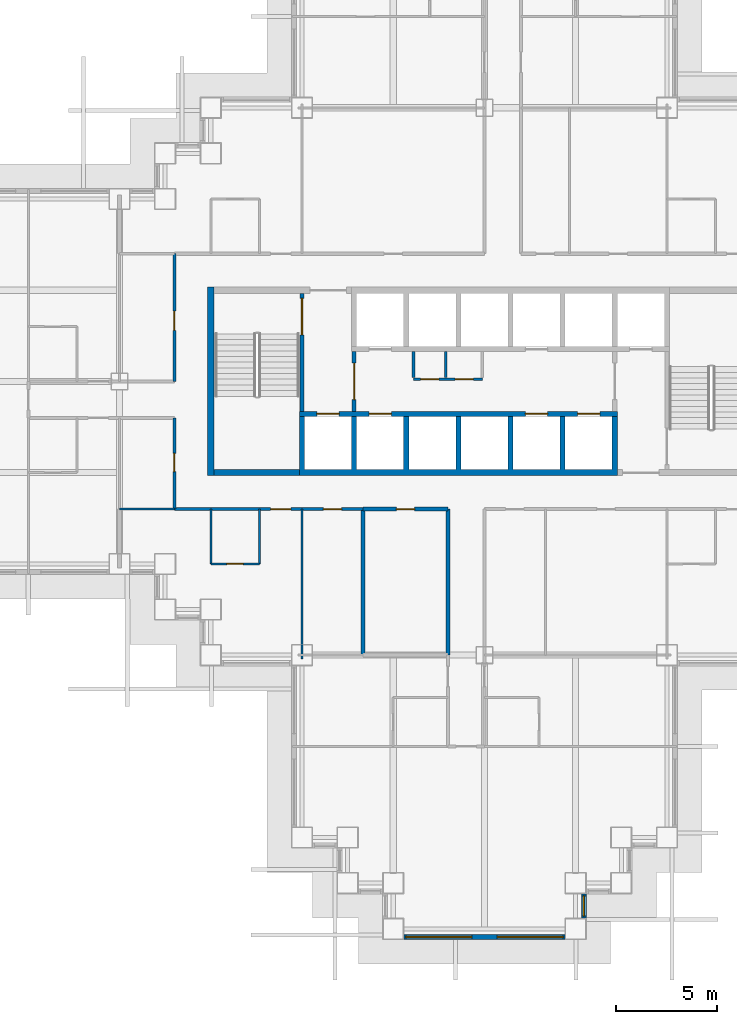
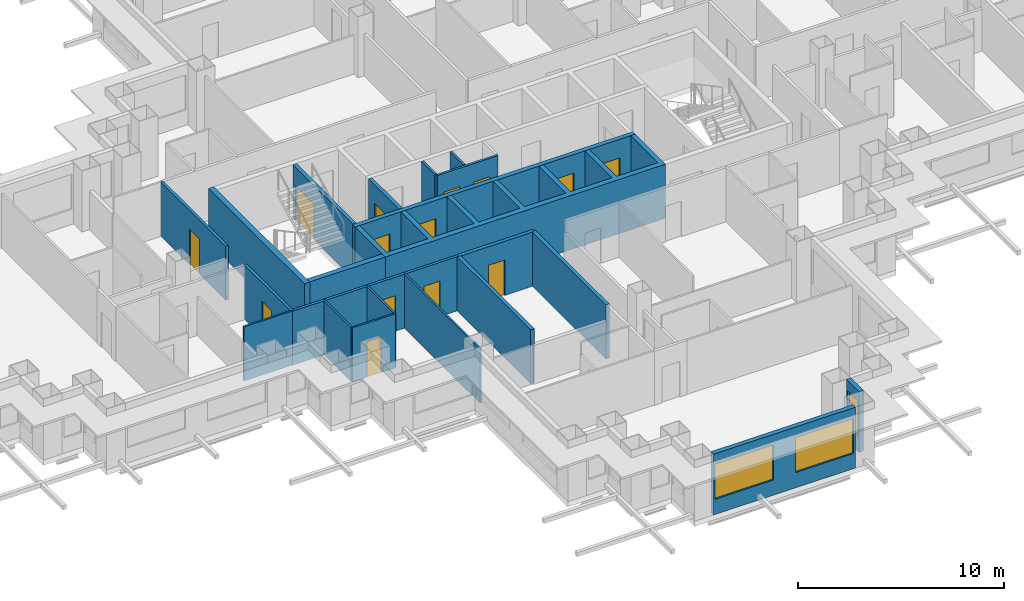
# One storey, part 4 of 15: 22 walls, 14 doors, 3 windows, 17 openings.
"""IFC4 building model written with IfcOpenShell, lengths in metres."""

from ifc_helpers import new_model, si_unit, direction, frame, frame_2d, origin, place, context, subcontext, project, spatial, polyline, rectangle, outline, extrude, material, layer, layer_set, type_object, element, fill, save


model = new_model("IFC4")

# Units and contexts
model_context = context("Model", 3, precision=1e-05, world=origin(), true_north=direction((0.0, 1.0)))
body_context = subcontext(model_context, "Body", "Model", "MODEL_VIEW")
ifc_project = project(units=[si_unit("LENGTHUNIT", "METRE"), si_unit("AREAUNIT", "SQUARE_METRE"), si_unit("VOLUMEUNIT", "CUBIC_METRE"), si_unit("PLANEANGLEUNIT", "RADIAN"), si_unit("MASSUNIT", "GRAM", prefix="KILO")], contexts=[model_context])

# Site, building, storey
site_placement = place(None, origin())
site = spatial("IfcSite", under=ifc_project, at=site_placement, CompositionType="ELEMENT")
building_placement = place(site_placement, origin())
building = spatial("IfcBuilding", under=site, at=building_placement, Name="Caravel Reach Hotel and Residences", CompositionType="ELEMENT")
storey_placement = place(building_placement, frame((0.0, 0.0, 44.39990234375)))
storey = spatial("IfcBuildingStorey", under=building, at=storey_placement, Name="L09", CompositionType="ELEMENT", Elevation=44.39990234375)

# Wall, opening, door
ifc_material_1 = material(Name="Gypsum board on steel stud", Category="steel")
ifc_layer_1 = layer(ifc_material_1, 0.10009765625)
ifc_layer_set_1 = layer_set([ifc_layer_1], Name="Bathroom pod wall 100 mm")
wall_type_1 = type_object("IfcWallType", Name="Bathroom pod wall 100 mm", PredefinedType="PARTITIONING", material=ifc_layer_set_1)
wall_1_placement = place(storey_placement, frame((18.0, 18.0, 0.0), z_axis=(0.0, 0.0, 1.0), x_axis=(1.0, 0.0, 0.0)))
wall_1 = element("IfcWall", 1, at=wall_1_placement, inside=storey, type_object=wall_type_1, Name="L09 wall w076", PredefinedType="PARTITIONING", context=body_context, shape_type="SweptSolid", body=[
    extrude(rectangle(XDim=2.39990234375, YDim=0.10009765625, at=frame_2d((1.199951171875, 0.0))), origin(), (0.0, 0.0, 1.0), 3.2001953125),
])
opening_1_placement = place(wall_1_placement, frame((0.800048828125, 0.0, 0.0)))
opening_1 = element("IfcOpeningElement", 2, at=opening_1_placement, cuts=wall_1, Name="Opening D09-047", PredefinedType="OPENING", context=body_context, shape_type="SweptSolid", body=[
    extrude(rectangle(XDim=0.800048828125, YDim=2.10009765625, at=frame_2d((0.39990234375, 1.050048828125))), frame((0.0, 0.06005859375, 0.0), z_axis=(0.0, -1.0, 0.0), x_axis=(1.0, 0.0, 0.0)), (0.0, 0.0, 1.0), 0.1201171875),
])
ifc_material_2 = material(Name="Timber and steel door leaf", Category="steel")
door_type_1 = type_object("IfcDoorType", Name="Bathroom door 800 x 2100", OperationType="SINGLE_SWING_LEFT", PredefinedType="DOOR", material=ifc_material_2)
door_1_placement = place(opening_1_placement, origin())
door_1 = element("IfcDoor", 3, at=door_1_placement, inside=storey, type_object=door_type_1, Name="door D09-047", OperationType="SINGLE_SWING_LEFT", OverallHeight=2.10009765625, OverallWidth=0.800048828125, PredefinedType="DOOR", context=body_context, shape_type="SweptSolid", body=[
    extrude(rectangle(XDim=0.800048828125, YDim=2.10009765625, at=frame_2d((0.39990234375, 1.050048828125))), frame((0.0, 0.02490234375, 0.0), z_axis=(0.0, -1.0, 0.0), x_axis=(1.0, 0.0, 0.0)), (0.0, 0.0, 1.0), 0.050048828125),
])
fill(opening_1, door_1)

# Walls
for number, where, z_axis, x_axis, name in (
    (4, (18.0, 18.0, 0.0), (0.0, 0.0, 1.0), (0.0, 1.0, 0.0), "L09 wall w092"),
    (5, (20.39990234375, 18.0, 0.0), (0.0, 0.0, 1.0), (0.0, 1.0, 0.0), "L09 wall w094"),
):
    element("IfcWall", number, at=place(storey_placement, frame(where, z_axis=z_axis, x_axis=x_axis)), inside=storey, type_object=wall_type_1, Name=name, PredefinedType="PARTITIONING", context=body_context, shape_type="SweptSolid", body=[
        extrude(rectangle(XDim=2.699951171875, YDim=0.10009765625, at=frame_2d((1.35009765625, 0.0))), origin(), (0.0, 0.0, 1.0), 3.2001953125),
    ])

# Wall, opening, door
ifc_material_3 = material(Name="Autoclaved aerated block wall")
ifc_layer_2 = layer(ifc_material_3, 0.199951171875)
ifc_layer_set_2 = layer_set([ifc_layer_2], Name="Compartment wall 200 mm EI 120")
wall_type_2 = type_object("IfcWallType", Name="Compartment wall 200 mm EI 120", PredefinedType="PARTITIONING", material=ifc_layer_set_2)
wall_2_placement = place(storey_placement, frame((25.5, 20.699951171875, 0.0), z_axis=(0.0, 0.0, 1.0), x_axis=(1.0, 0.0, 0.0)))
wall_2 = element("IfcWall", 6, at=wall_2_placement, inside=storey, type_object=wall_type_2, Name="L09 wall w106", PredefinedType="PARTITIONING", context=body_context, shape_type="SweptSolid", body=[
    extrude(rectangle(XDim=4.199951171875, YDim=0.199951171875, at=frame_2d((2.10009765625, 0.0))), origin(), (0.0, 0.0, 1.0), 3.2001953125),
])
opening_2_placement = place(wall_2_placement, frame((1.64990234375, 0.0, 0.0)))
opening_2 = element("IfcOpeningElement", 7, at=opening_2_placement, cuts=wall_2, Name="Opening D09-054", PredefinedType="OPENING", context=body_context, shape_type="SweptSolid", body=[
    extrude(rectangle(XDim=0.89990234375, YDim=2.10009765625, at=frame_2d((0.449951171875, 1.050048828125))), frame((0.0, 0.10986328125, 0.0), z_axis=(0.0, -1.0, 0.0), x_axis=(1.0, 0.0, 0.0)), (0.0, 0.0, 1.0), 0.219970703125),
])
ifc_material_4 = material(Name="Steel fire door leaf", Category="steel")
door_type_2 = type_object("IfcDoorType", Name="Riser door 900 x 2100 EI 60", OperationType="SINGLE_SWING_LEFT", PredefinedType="DOOR", material=ifc_material_4)
door_2_placement = place(opening_2_placement, origin())
door_2 = element("IfcDoor", 8, at=door_2_placement, inside=storey, type_object=door_type_2, Name="door D09-054", OperationType="SINGLE_SWING_LEFT", OverallHeight=2.10009765625, OverallWidth=0.89990234375, PredefinedType="DOOR", context=body_context, shape_type="SweptSolid", body=[
    extrude(rectangle(XDim=0.89990234375, YDim=2.10009765625, at=frame_2d((0.449951171875, 1.050048828125))), frame((0.0, 0.02490234375, 0.0), z_axis=(0.0, -1.0, 0.0), x_axis=(1.0, 0.0, 0.0)), (0.0, 0.0, 1.0), 0.050048828125),
])
fill(opening_2, door_2)

# Walls
for number, where, z_axis, x_axis, name in (
    (9, (25.5, 13.5, 0.0), (0.0, 0.0, 1.0), (0.0, 1.0, 0.0), "L09 wall w107"),
    (10, (29.699951171875, 13.5, 0.0), (0.0, 0.0, 1.0), (0.0, 1.0, 0.0), "L09 wall w108"),
):
    element("IfcWall", number, at=place(storey_placement, frame(where, z_axis=z_axis, x_axis=x_axis)), inside=storey, type_object=wall_type_2, Name=name, PredefinedType="PARTITIONING", context=body_context, shape_type="SweptSolid", body=[
        extrude(rectangle(XDim=7.199951171875, YDim=0.199951171875, at=frame_2d((3.60009765625, 0.0))), origin(), (0.0, 0.0, 1.0), 3.2001953125),
    ])
ifc_material_5 = material(Name="Concrete C60", Category="concrete")
ifc_layer_3 = layer(ifc_material_5, 0.300048828125)
ifc_layer_set_3 = layer_set([ifc_layer_3], Name="Core wall 300 mm EI 120")
wall_type_3 = type_object("IfcWallType", Name="Core wall 300 mm EI 120", PredefinedType="SHEAR", material=ifc_layer_set_3)
wall_3_placement = place(storey_placement, frame((18.14990234375, 22.5, 0.0), z_axis=(0.0, 0.0, 1.0), x_axis=(1.0, 0.0, 0.0)))
element("IfcWall", 11, at=wall_3_placement, inside=storey, type_object=wall_type_3, Name="L09 core wall S1", PredefinedType="SHEAR", context=body_context, shape_type="SweptSolid", body=[
    extrude(rectangle(XDim=4.22509765625, YDim=0.300048828125, at=frame_2d((2.112548828125, 0.0))), origin(), (0.0, 0.0, 1.0), 3.2001953125),
])
wall_4_placement = place(storey_placement, frame((18.0, 22.35009765625, 0.0), z_axis=(0.0, 0.0, 1.0), x_axis=(0.0, 1.0, 0.0)))
element("IfcWall", 12, at=wall_4_placement, inside=storey, type_object=wall_type_3, Name="L09 core wall W", PredefinedType="SHEAR", context=body_context, shape_type="SweptSolid", body=[
    extrude(rectangle(XDim=9.2998046875, YDim=0.300048828125, at=frame_2d((4.64990234375, 0.0))), origin(), (0.0, 0.0, 1.0), 3.2001953125),
])

# Wall, openings, doors
ifc_material_6 = material(Name="Gypsum board on steel stud, fire-rated", Category="steel")
ifc_layer_4 = layer(ifc_material_6, 0.14990234375)
ifc_layer_set_4 = layer_set([ifc_layer_4], Name="Corridor wall 150 mm EI 60")
wall_type_4 = type_object("IfcWallType", Name="Corridor wall 150 mm EI 60", PredefinedType="PARTITIONING", material=ifc_layer_set_4)
wall_5_placement = place(storey_placement, frame((16.199951171875, 20.699951171875, 0.0), z_axis=(0.0, 0.0, 1.0), x_axis=(1.0, 0.0, 0.0)))
wall_5 = element("IfcWall", 13, at=wall_5_placement, inside=storey, type_object=wall_type_4, Name="L09 wall w001", PredefinedType="PARTITIONING", context=body_context, shape_type="SweptSolid", body=[
    extrude(rectangle(XDim=9.300048828125, YDim=0.14990234375, at=frame_2d((4.64990234375, 0.0))), origin(), (0.0, 0.0, 1.0), 3.2001953125),
])
opening_3_placement = place(wall_5_placement, frame((4.75, 0.0, 0.0)))
opening_3 = element("IfcOpeningElement", 14, at=opening_3_placement, cuts=wall_5, Name="Opening D09-046", PredefinedType="OPENING", context=body_context, shape_type="SweptSolid", body=[
    extrude(rectangle(XDim=1.0, YDim=2.10009765625, at=frame_2d((0.5, 1.050048828125))), frame((0.0, 0.0849609375, 0.0), z_axis=(0.0, -1.0, 0.0), x_axis=(1.0, 0.0, 0.0)), (0.0, 0.0, 1.0), 0.169921875),
])
opening_4_placement = place(wall_5_placement, frame((7.35009765625, 0.0, 0.0)))
opening_4 = element("IfcOpeningElement", 15, at=opening_4_placement, cuts=wall_5, Name="Opening D09-053", PredefinedType="OPENING", context=body_context, shape_type="SweptSolid", body=[
    extrude(rectangle(XDim=0.89990234375, YDim=2.10009765625, at=frame_2d((0.449951171875, 1.050048828125))), frame((0.0, 0.0849609375, 0.0), z_axis=(0.0, -1.0, 0.0), x_axis=(1.0, 0.0, 0.0)), (0.0, 0.0, 1.0), 0.169921875),
])
ifc_material_7 = material(Name="Timber and steel door leaf", Category="steel")
door_type_3 = type_object("IfcDoorType", Name="Door 900 x 2100 timber", OperationType="SINGLE_SWING_LEFT", PredefinedType="DOOR", material=ifc_material_7)
door_3_placement = place(opening_4_placement, origin())
door_3 = element("IfcDoor", 16, at=door_3_placement, inside=storey, type_object=door_type_3, Name="door D09-053", OperationType="SINGLE_SWING_RIGHT", OverallHeight=2.10009765625, OverallWidth=0.89990234375, PredefinedType="DOOR", context=body_context, shape_type="SweptSolid", body=[
    extrude(rectangle(XDim=0.89990234375, YDim=2.10009765625, at=frame_2d((0.449951171875, 1.050048828125))), frame((0.0, 0.02490234375, 0.0), z_axis=(0.0, -1.0, 0.0), x_axis=(1.0, 0.0, 0.0)), (0.0, 0.0, 1.0), 0.050048828125),
])
fill(opening_4, door_3)
ifc_material_8 = material(Name="Steel fire door leaf", Category="steel")
door_type_4 = type_object("IfcDoorType", Name="Guest room door 1000 x 2100 EI 30", OperationType="SINGLE_SWING_LEFT", PredefinedType="DOOR", material=ifc_material_8)
door_4_placement = place(opening_3_placement, origin())
door_4 = element("IfcDoor", 17, at=door_4_placement, inside=storey, type_object=door_type_4, Name="door D09-046", OperationType="SINGLE_SWING_RIGHT", OverallHeight=2.10009765625, OverallWidth=1.0, PredefinedType="DOOR", context=body_context, shape_type="SweptSolid", body=[
    extrude(rectangle(XDim=1.0, YDim=2.10009765625, at=frame_2d((0.5, 1.050048828125))), frame((0.0, 0.02490234375, 0.0), z_axis=(0.0, -1.0, 0.0), x_axis=(1.0, 0.0, 0.0)), (0.0, 0.0, 1.0), 0.050048828125),
])
fill(opening_3, door_4)

# Wall, opening, door
wall_6_placement = place(storey_placement, frame((16.199951171875, 27.0, 0.0), z_axis=(0.0, 0.0, 1.0), x_axis=(0.0, 1.0, 0.0)))
wall_6 = element("IfcWall", 18, at=wall_6_placement, inside=storey, type_object=wall_type_4, Name="L09 wall w023", PredefinedType="PARTITIONING", context=body_context, shape_type="SweptSolid", body=[
    extrude(rectangle(XDim=6.300048828125, YDim=0.14990234375, at=frame_2d((3.14990234375, 0.0))), origin(), (0.0, 0.0, 1.0), 3.2001953125),
])
opening_5_placement = place(wall_6_placement, frame((2.52490234375, 0.0, 0.0)))
opening_5 = element("IfcOpeningElement", 19, at=opening_5_placement, cuts=wall_6, Name="Opening D09-058", PredefinedType="OPENING", context=body_context, shape_type="SweptSolid", body=[
    extrude(rectangle(XDim=0.949951171875, YDim=2.10009765625, at=frame_2d((0.47509765625, 1.050048828125))), frame((0.0, 0.0849609375, 0.0), z_axis=(0.0, -1.0, 0.0), x_axis=(1.0, 0.0, 0.0)), (0.0, 0.0, 1.0), 0.169921875),
])
ifc_material_9 = material(Name="Timber and steel door leaf", Category="steel")
door_type_5 = type_object("IfcDoorType", Name="Accessible WC door 950 x 2100", OperationType="SINGLE_SWING_LEFT", PredefinedType="DOOR", material=ifc_material_9)
door_5_placement = place(opening_5_placement, origin())
door_5 = element("IfcDoor", 20, at=door_5_placement, inside=storey, type_object=door_type_5, Name="door D09-058", OperationType="SINGLE_SWING_LEFT", OverallHeight=2.10009765625, OverallWidth=0.949951171875, PredefinedType="DOOR", context=body_context, shape_type="SweptSolid", body=[
    extrude(rectangle(XDim=0.949951171875, YDim=2.10009765625, at=frame_2d((0.47509765625, 1.050048828125))), frame((0.0, 0.02490234375, 0.0), z_axis=(0.0, -1.0, 0.0), x_axis=(1.0, 0.0, 0.0)), (0.0, 0.0, 1.0), 0.050048828125),
])
fill(opening_5, door_5)

wall_7_placement = place(storey_placement, frame((16.199951171875, 20.699951171875, 0.0), z_axis=(0.0, 0.0, 1.0), x_axis=(0.0, 1.0, 0.0)))
wall_7 = element("IfcWall", 21, at=wall_7_placement, inside=storey, type_object=wall_type_4, Name="L09 wall w024", PredefinedType="PARTITIONING", context=body_context, shape_type="SweptSolid", body=[
    extrude(rectangle(XDim=4.5, YDim=0.14990234375, at=frame_2d((2.25, 0.0))), origin(), (0.0, 0.0, 1.0), 3.2001953125),
])
opening_6_placement = place(wall_7_placement, frame((1.85009765625, 0.0, 0.0)))
opening_6 = element("IfcOpeningElement", 22, at=opening_6_placement, cuts=wall_7, Name="Opening D09-057", PredefinedType="OPENING", context=body_context, shape_type="SweptSolid", body=[
    extrude(rectangle(XDim=0.89990234375, YDim=2.10009765625, at=frame_2d((0.449951171875, 1.050048828125))), frame((0.0, 0.0849609375, 0.0), z_axis=(0.0, -1.0, 0.0), x_axis=(1.0, 0.0, 0.0)), (0.0, 0.0, 1.0), 0.169921875),
])
door_6_placement = place(opening_6_placement, origin())
door_6 = element("IfcDoor", 23, at=door_6_placement, inside=storey, type_object=door_type_3, Name="door D09-057", OperationType="SINGLE_SWING_RIGHT", OverallHeight=2.10009765625, OverallWidth=0.89990234375, PredefinedType="DOOR", context=body_context, shape_type="SweptSolid", body=[
    extrude(rectangle(XDim=0.89990234375, YDim=2.10009765625, at=frame_2d((0.449951171875, 1.050048828125))), frame((0.0, 0.02490234375, 0.0), z_axis=(0.0, -1.0, 0.0), x_axis=(1.0, 0.0, 0.0)), (0.0, 0.0, 1.0), 0.050048828125),
])
fill(opening_6, door_6)

# Wall, openings, windows
ifc_material_10 = material(Name="Insulated rainscreen wall, aluminium cladding", Category="aluminium")
ifc_layer_5 = layer(ifc_material_10, 0.25)
ifc_layer_set_5 = layer_set([ifc_layer_5], Name="EW1 Tower rainscreen wall")
wall_type_5 = type_object("IfcWallType", Name="EW1 Tower rainscreen wall", PredefinedType="SOLIDWALL", material=ifc_layer_set_5)
wall_8_placement = place(storey_placement, frame((27.52490234375, -0.39990234375, 0.0), z_axis=(0.0, 0.0, 1.0), x_axis=(1.0, 0.0, 0.0)))
wall_8 = element("IfcWall", 24, at=wall_8_placement, inside=storey, type_object=wall_type_5, Name="External wall L09 S5.1", PredefinedType="SOLIDWALL", context=body_context, shape_type="SweptSolid", body=[
    extrude(rectangle(XDim=7.9501953125, YDim=0.25, at=frame_2d((3.97509765625, 0.0))), origin(), (0.0, 0.0, 1.0), 3.60009765625),
])
opening_7_placement = place(wall_8_placement, frame((0.10009765625, 0.0, 0.89990234375)))
opening_7 = element("IfcOpeningElement", 25, at=opening_7_placement, cuts=wall_8, Name="Opening WN2", PredefinedType="OPENING", context=body_context, shape_type="SweptSolid", body=[
    extrude(rectangle(XDim=3.25, YDim=2.080078125, at=frame_2d((1.625, 1.0400390625))), frame((0.0, 0.135009765625, 0.0), z_axis=(0.0, -1.0, 0.0), x_axis=(1.0, 0.0, 0.0)), (0.0, 0.0, 1.0), 0.27001953125),
])
opening_8_placement = place(wall_8_placement, frame((4.60009765625, 0.0, 0.89990234375)))
opening_8 = element("IfcOpeningElement", 26, at=opening_8_placement, cuts=wall_8, Name="Opening WN2", PredefinedType="OPENING", context=body_context, shape_type="SweptSolid", body=[
    extrude(rectangle(XDim=3.25, YDim=2.080078125, at=frame_2d((1.625, 1.0400390625))), frame((0.0, 0.135009765625, 0.0), z_axis=(0.0, -1.0, 0.0), x_axis=(1.0, 0.0, 0.0)), (0.0, 0.0, 1.0), 0.27001953125),
])
ifc_material_11 = material(Name="Dark low-e glazing in black aluminium frame", Category="aluminium")
window_type_1 = type_object("IfcWindowType", Name="Hotel guest room window 3250 x 2080", PartitioningType="SINGLE_PANEL", PredefinedType="WINDOW", material=ifc_material_11)
window_1_placement = place(opening_7_placement, origin())
window_1 = element("IfcWindow", 27, at=window_1_placement, inside=storey, type_object=window_type_1, Name="Window L09 S5.1.1", OverallHeight=2.080078125, OverallWidth=3.25, PartitioningType="SINGLE_PANEL", PredefinedType="WINDOW", context=body_context, shape_type="SweptSolid", body=[
    extrude(rectangle(XDim=3.25, YDim=2.080078125, at=frame_2d((1.625, 1.0400390625))), frame((0.0, 0.030029296875, 0.0), z_axis=(0.0, -1.0, 0.0), x_axis=(1.0, 0.0, 0.0)), (0.0, 0.0, 1.0), 0.06005859375),
])
fill(opening_7, window_1)
window_2_placement = place(opening_8_placement, origin())
window_2 = element("IfcWindow", 28, at=window_2_placement, inside=storey, type_object=window_type_1, Name="Window L09 S5.1.2", OverallHeight=2.080078125, OverallWidth=3.25, PartitioningType="SINGLE_PANEL", PredefinedType="WINDOW", context=body_context, shape_type="SweptSolid", body=[
    extrude(rectangle(XDim=3.25, YDim=2.080078125, at=frame_2d((1.625, 1.0400390625))), frame((0.0, 0.030029296875, 0.0), z_axis=(0.0, -1.0, 0.0), x_axis=(1.0, 0.0, 0.0)), (0.0, 0.0, 1.0), 0.06005859375),
])
fill(opening_8, window_2)

# Wall, opening, window
wall_9_placement = place(storey_placement, frame((36.39990234375, 0.52490234375, 0.0), z_axis=(0.0, 0.0, 1.0), x_axis=(0.0, 1.0, 0.0)))
wall_9 = element("IfcWall", 29, at=wall_9_placement, inside=storey, type_object=wall_type_5, Name="External wall L09 E6.1", PredefinedType="SOLIDWALL", context=body_context, shape_type="SweptSolid", body=[
    extrude(rectangle(XDim=1.2001953125, YDim=0.25, at=frame_2d((0.60009765625, 0.0))), origin(), (0.0, 0.0, 1.0), 3.60009765625),
])
opening_9_placement = place(wall_9_placement, frame((0.10009765625, 0.0, 0.89990234375)))
opening_9 = element("IfcOpeningElement", 30, at=opening_9_placement, cuts=wall_9, Name="Opening WN1", PredefinedType="OPENING", context=body_context, shape_type="SweptSolid", body=[
    extrude(rectangle(XDim=1.0, YDim=2.080078125, at=frame_2d((0.5, 1.0400390625))), frame((0.0, 0.135009765625, 0.0), z_axis=(0.0, -1.0, 0.0), x_axis=(1.0, 0.0, 0.0)), (0.0, 0.0, 1.0), 0.27001953125),
])
ifc_material_12 = material(Name="Dark low-e glazing in black aluminium frame", Category="aluminium")
window_type_2 = type_object("IfcWindowType", Name="Hotel suite corner window 1000 x 2080", PartitioningType="SINGLE_PANEL", PredefinedType="WINDOW", material=ifc_material_12)
window_3_placement = place(opening_9_placement, origin())
window_3 = element("IfcWindow", 31, at=window_3_placement, inside=storey, type_object=window_type_2, Name="Window L09 E6.1.1", OverallHeight=2.080078125, OverallWidth=1.0, PartitioningType="SINGLE_PANEL", PredefinedType="WINDOW", context=body_context, shape_type="SweptSolid", body=[
    extrude(rectangle(XDim=1.0, YDim=2.080078125, at=frame_2d((0.5, 1.0400390625))), frame((0.0, 0.030029296875, 0.0), z_axis=(0.0, -1.0, 0.0), x_axis=(1.0, 0.0, 0.0)), (0.0, 0.0, 1.0), 0.06005859375),
])
fill(opening_9, window_3)

# Wall, opening, door
ifc_material_13 = material(Name="Autoclaved aerated block wall")
ifc_layer_6 = layer(ifc_material_13, 0.199951171875)
ifc_layer_set_6 = layer_set([ifc_layer_6], Name="Fire lobby wall 200 mm EI 120")
wall_type_6 = type_object("IfcWallType", Name="Fire lobby wall 200 mm EI 120", PredefinedType="PARTITIONING", material=ifc_layer_set_6)
wall_10_placement = place(storey_placement, frame((25.071533203125, 25.52490234375, 0.0), z_axis=(0.0, 0.0, 1.0), x_axis=(0.0, 1.0, 0.0)))
wall_10 = element("IfcWall", 32, at=wall_10_placement, inside=storey, type_object=wall_type_6, Name="L09 lobby W wall", PredefinedType="PARTITIONING", context=body_context, shape_type="SweptSolid", body=[
    extrude(rectangle(XDim=2.9501953125, YDim=0.199951171875, at=frame_2d((1.47509765625, 0.0))), origin(), (0.0, 0.0, 1.0), 3.2001953125),
])
opening_10_placement = place(wall_10_placement, frame((0.574951171875, 0.0, 0.0)))
opening_10 = element("IfcOpeningElement", 33, at=opening_10_placement, cuts=wall_10, Name="Opening D09-012", PredefinedType="OPENING", context=body_context, shape_type="SweptSolid", body=[
    extrude(rectangle(XDim=1.800048828125, YDim=2.10009765625, at=frame_2d((0.89990234375, 1.050048828125))), frame((0.0, 0.10986328125, 0.0), z_axis=(0.0, -1.0, 0.0), x_axis=(1.0, 0.0, 0.0)), (0.0, 0.0, 1.0), 0.219970703125),
])
ifc_material_14 = material(Name="Steel fire door leaf", Category="steel")
door_type_6 = type_object("IfcDoorType", Name="Fire lobby door pair 1800 x 2100 EI 90", OperationType="DOUBLE_DOOR_SINGLE_SWING", PredefinedType="DOOR", material=ifc_material_14)
door_7_placement = place(opening_10_placement, origin())
door_7 = element("IfcDoor", 34, at=door_7_placement, inside=storey, type_object=door_type_6, Name="lobby W door pair", OperationType="DOUBLE_DOOR_SINGLE_SWING", OverallHeight=2.10009765625, OverallWidth=1.800048828125, PredefinedType="DOOR", context=body_context, shape_type="SweptSolid", body=[
    extrude(rectangle(XDim=1.800048828125, YDim=2.10009765625, at=frame_2d((0.89990234375, 1.050048828125))), frame((0.0, 0.02490234375, 0.0), z_axis=(0.0, -1.0, 0.0), x_axis=(1.0, 0.0, 0.0)), (0.0, 0.0, 1.0), 0.050048828125),
])
fill(opening_10, door_7)

# Walls
ifc_material_15 = material(Name="Gypsum board on steel stud", Category="steel")
ifc_layer_7 = layer(ifc_material_15, 0.10009765625)
ifc_layer_set_7 = layer_set([ifc_layer_7], Name="Partition 100 mm")
wall_type_7 = type_object("IfcWallType", Name="Partition 100 mm", PredefinedType="PARTITIONING", material=ifc_layer_set_7)
wall_11_placement = place(storey_placement, frame((13.5, 20.699951171875, 0.0), z_axis=(0.0, 0.0, 1.0), x_axis=(1.0, 0.0, 0.0)))
element("IfcWall", 35, at=wall_11_placement, inside=storey, type_object=wall_type_7, Name="L09 wall w041", PredefinedType="PARTITIONING", context=body_context, shape_type="SweptSolid", body=[
    extrude(rectangle(XDim=2.699951171875, YDim=0.10009765625, at=frame_2d((1.35009765625, 0.0))), origin(), (0.0, 0.0, 1.0), 3.2001953125),
])
wall_12_placement = place(storey_placement, frame((22.5, 13.31005859375, 0.0), z_axis=(0.0, 0.0, 1.0), x_axis=(0.0, 1.0, 0.0)))
element("IfcWall", 36, at=wall_12_placement, inside=storey, type_object=wall_type_7, Name="L09 wall w057", PredefinedType="PARTITIONING", context=body_context, shape_type="SweptSolid", body=[
    extrude(rectangle(XDim=7.389892578125, YDim=0.10009765625, at=frame_2d((3.69482421875, 0.0))), origin(), (0.0, 0.0, 1.0), 3.2001953125),
])

# Wall, openings, doors
ifc_material_16 = material(Name="Autoclaved aerated block wall")
ifc_layer_8 = layer(ifc_material_16, 0.125)
ifc_layer_set_8 = layer_set([ifc_layer_8], Name="Riser wall 125 mm EI 60")
wall_type_8 = type_object("IfcWallType", Name="Riser wall 125 mm EI 60", PredefinedType="PARTITIONING", material=ifc_layer_set_8)
wall_13_placement = place(storey_placement, frame((28.0, 27.10009765625, 0.0), z_axis=(0.0, 0.0, 1.0), x_axis=(1.0, 0.0, 0.0)))
wall_13 = element("IfcWall", 37, at=wall_13_placement, inside=storey, type_object=wall_type_8, Name="L09 service room wall N1", PredefinedType="PARTITIONING", context=body_context, shape_type="SweptSolid", body=[
    extrude(rectangle(XDim=3.39990234375, YDim=0.125, at=frame_2d((1.699951171875, 0.0))), origin(), (0.0, 0.0, 1.0), 3.2001953125),
])
opening_11_placement = place(wall_13_placement, frame((0.35009765625, 0.0, 0.0)))
opening_11 = element("IfcOpeningElement", 38, at=opening_11_placement, cuts=wall_13, Name="Opening D09-008", PredefinedType="OPENING", context=body_context, shape_type="SweptSolid", body=[
    extrude(rectangle(XDim=0.89990234375, YDim=2.10009765625, at=frame_2d((0.449951171875, 1.050048828125))), frame((0.0, 0.072509765625, 0.0), z_axis=(0.0, -1.0, 0.0), x_axis=(1.0, 0.0, 0.0)), (0.0, 0.0, 1.0), 0.14501953125),
])
opening_12_placement = place(wall_13_placement, frame((2.050048828125, 0.0, 0.0)))
opening_12 = element("IfcOpeningElement", 39, at=opening_12_placement, cuts=wall_13, Name="Opening D09-009", PredefinedType="OPENING", context=body_context, shape_type="SweptSolid", body=[
    extrude(rectangle(XDim=0.89990234375, YDim=2.10009765625, at=frame_2d((0.449951171875, 1.050048828125))), frame((0.0, 0.072509765625, 0.0), z_axis=(0.0, -1.0, 0.0), x_axis=(1.0, 0.0, 0.0)), (0.0, 0.0, 1.0), 0.14501953125),
])
door_8_placement = place(opening_11_placement, origin())
door_8 = element("IfcDoor", 40, at=door_8_placement, inside=storey, type_object=door_type_2, Name="Linen store door", OperationType="SINGLE_SWING_LEFT", OverallHeight=2.10009765625, OverallWidth=0.89990234375, PredefinedType="DOOR", context=body_context, shape_type="SweptSolid", body=[
    extrude(rectangle(XDim=0.89990234375, YDim=2.10009765625, at=frame_2d((0.449951171875, 1.050048828125))), frame((0.0, 0.02490234375, 0.0), z_axis=(0.0, -1.0, 0.0), x_axis=(1.0, 0.0, 0.0)), (0.0, 0.0, 1.0), 0.050048828125),
])
fill(opening_11, door_8)
door_9_placement = place(opening_12_placement, origin())
door_9 = element("IfcDoor", 41, at=door_9_placement, inside=storey, type_object=door_type_2, Name="Floor pantry door", OperationType="SINGLE_SWING_LEFT", OverallHeight=2.10009765625, OverallWidth=0.89990234375, PredefinedType="DOOR", context=body_context, shape_type="SweptSolid", body=[
    extrude(rectangle(XDim=0.89990234375, YDim=2.10009765625, at=frame_2d((0.449951171875, 1.050048828125))), frame((0.0, 0.02490234375, 0.0), z_axis=(0.0, -1.0, 0.0), x_axis=(1.0, 0.0, 0.0)), (0.0, 0.0, 1.0), 0.050048828125),
])
fill(opening_12, door_9)

# Walls
for number, where, z_axis, x_axis, name in (
    (42, (28.0, 28.47509765625, 0.0), (0.0, 0.0, 1.0), (0.0, -1.0, 0.0), "L09 service room partition N1"),
    (43, (29.60009765625, 28.47509765625, 0.0), (0.0, 0.0, 1.0), (0.0, -1.0, 0.0), "L09 service room partition N1"),
):
    element("IfcWall", number, at=place(storey_placement, frame(where, z_axis=z_axis, x_axis=x_axis)), inside=storey, type_object=wall_type_8, Name=name, PredefinedType="PARTITIONING", context=body_context, shape_type="SweptSolid", body=[
        extrude(rectangle(XDim=1.275146484375, YDim=0.125, at=frame_2d((0.6376953125, 0.0))), origin(), (0.0, 0.0, 1.0), 3.2001953125),
    ])
ifc_material_17 = material(Name="Concrete C60", Category="concrete")
ifc_layer_9 = layer(ifc_material_17, 0.25)
ifc_layer_set_9 = layer_set([ifc_layer_9], Name="Shaft wall 250 mm EI 120")
wall_type_9 = type_object("IfcWallType", Name="Shaft wall 250 mm EI 120", PredefinedType="SHEAR", material=ifc_layer_set_9)
wall_14_placement = place(storey_placement, origin())
element("IfcWall", 44, at=wall_14_placement, inside=storey, type_object=wall_type_9, Name="L09 lift shaft wall S1", PredefinedType="SHEAR", context=body_context, shape_type="SweptSolid", body=[
    extrude(outline(polyline([(22.375, 22.35009765625), (38.053466796875, 22.35009765625), (38.053466796875, 25.27490234375), (37.803466796875, 25.27490234375), (37.803466796875, 22.64990234375), (35.482177734375, 22.64990234375), (35.482177734375, 25.27490234375), (35.232177734375, 25.27490234375), (35.232177734375, 22.64990234375), (32.91064453125, 22.64990234375), (32.91064453125, 25.27490234375), (32.66064453125, 25.27490234375), (32.66064453125, 22.64990234375), (30.33935546875, 22.64990234375), (30.33935546875, 25.27490234375), (30.08935546875, 25.27490234375), (30.08935546875, 22.64990234375), (27.767822265625, 22.64990234375), (27.767822265625, 25.27490234375), (27.517822265625, 25.27490234375), (27.517822265625, 22.64990234375), (25.196533203125, 22.64990234375), (25.196533203125, 25.27490234375), (24.946533203125, 25.27490234375), (24.946533203125, 22.64990234375), (22.625, 22.64990234375), (22.625, 25.27490234375), (22.375, 25.27490234375), (22.375, 22.35009765625)])), origin(), (0.0, 0.0, 1.0), 3.2001953125),
])

# Wall, openings, doors
wall_15_placement = place(storey_placement, frame((22.375, 25.39990234375, 0.0), z_axis=(0.0, 0.0, 1.0), x_axis=(1.0, 0.0, 0.0)))
wall_15 = element("IfcWall", 45, at=wall_15_placement, inside=storey, type_object=wall_type_9, Name="L09 lobby wall S1", PredefinedType="SHEAR", context=body_context, shape_type="SweptSolid", body=[
    extrude(rectangle(XDim=15.678466796875, YDim=0.25, at=frame_2d((7.83935546875, 0.0))), origin(), (0.0, 0.0, 1.0), 3.2001953125),
])
opening_13_placement = place(wall_15_placement, frame((3.43212890625, 0.0, 0.0)))
opening_13 = element("IfcOpeningElement", 46, at=opening_13_placement, cuts=wall_15, Name="Opening D09-001", PredefinedType="OPENING", context=body_context, shape_type="SweptSolid", body=[
    extrude(rectangle(XDim=1.10009765625, YDim=2.10009765625, at=frame_2d((0.550048828125, 1.050048828125))), frame((0.0, 0.135009765625, 0.0), z_axis=(0.0, -1.0, 0.0), x_axis=(1.0, 0.0, 0.0)), (0.0, 0.0, 1.0), 0.27001953125),
])
opening_14_placement = place(wall_15_placement, frame((11.146484375, 0.0, 0.0)))
opening_14 = element("IfcOpeningElement", 47, at=opening_14_placement, cuts=wall_15, Name="Opening D09-002", PredefinedType="OPENING", context=body_context, shape_type="SweptSolid", body=[
    extrude(rectangle(XDim=1.10009765625, YDim=2.10009765625, at=frame_2d((0.550048828125, 1.050048828125))), frame((0.0, 0.135009765625, 0.0), z_axis=(0.0, -1.0, 0.0), x_axis=(1.0, 0.0, 0.0)), (0.0, 0.0, 1.0), 0.27001953125),
])
opening_15_placement = place(wall_15_placement, frame((13.718017578125, 0.0, 0.0)))
opening_15 = element("IfcOpeningElement", 48, at=opening_15_placement, cuts=wall_15, Name="Opening D09-003", PredefinedType="OPENING", context=body_context, shape_type="SweptSolid", body=[
    extrude(rectangle(XDim=1.10009765625, YDim=2.10009765625, at=frame_2d((0.550048828125, 1.050048828125))), frame((0.0, 0.135009765625, 0.0), z_axis=(0.0, -1.0, 0.0), x_axis=(1.0, 0.0, 0.0)), (0.0, 0.0, 1.0), 0.27001953125),
])
opening_16_placement = place(wall_15_placement, frame((0.860595703125, 0.0, 0.0)))
opening_16 = element("IfcOpeningElement", 49, at=opening_16_placement, cuts=wall_15, Name="Opening D09-006", PredefinedType="OPENING", context=body_context, shape_type="SweptSolid", body=[
    extrude(rectangle(XDim=1.10009765625, YDim=2.10009765625, at=frame_2d((0.550048828125, 1.050048828125))), frame((0.0, 0.135009765625, 0.0), z_axis=(0.0, -1.0, 0.0), x_axis=(1.0, 0.0, 0.0)), (0.0, 0.0, 1.0), 0.27001953125),
])
ifc_material_18 = material(Name="Stainless steel landing door", Category="steel")
door_type_7 = type_object("IfcDoorType", Name="Landing door LD 1100 x 2100 sliding", OperationType="DOUBLE_DOOR_SLIDING", PredefinedType="DOOR", material=ifc_material_18)
door_10_placement = place(opening_13_placement, origin())
door_10 = element("IfcDoor", 50, at=door_10_placement, inside=storey, type_object=door_type_7, Name="LP1 landing door", OperationType="DOUBLE_DOOR_SLIDING", OverallHeight=2.10009765625, OverallWidth=1.10009765625, PredefinedType="DOOR", context=body_context, shape_type="SweptSolid", body=[
    extrude(rectangle(XDim=1.10009765625, YDim=2.10009765625, at=frame_2d((0.550048828125, 1.050048828125))), frame((0.0, 0.02490234375, 0.0), z_axis=(0.0, -1.0, 0.0), x_axis=(1.0, 0.0, 0.0)), (0.0, 0.0, 1.0), 0.050048828125),
])
fill(opening_13, door_10)
door_11_placement = place(opening_14_placement, origin())
door_11 = element("IfcDoor", 51, at=door_11_placement, inside=storey, type_object=door_type_7, Name="LP2 landing door", OperationType="DOUBLE_DOOR_SLIDING", OverallHeight=2.10009765625, OverallWidth=1.10009765625, PredefinedType="DOOR", context=body_context, shape_type="SweptSolid", body=[
    extrude(rectangle(XDim=1.10009765625, YDim=2.10009765625, at=frame_2d((0.550048828125, 1.050048828125))), frame((0.0, 0.02490234375, 0.0), z_axis=(0.0, -1.0, 0.0), x_axis=(1.0, 0.0, 0.0)), (0.0, 0.0, 1.0), 0.050048828125),
])
fill(opening_14, door_11)
door_12_placement = place(opening_15_placement, origin())
door_12 = element("IfcDoor", 52, at=door_12_placement, inside=storey, type_object=door_type_7, Name="LP3 landing door", OperationType="DOUBLE_DOOR_SLIDING", OverallHeight=2.10009765625, OverallWidth=1.10009765625, PredefinedType="DOOR", context=body_context, shape_type="SweptSolid", body=[
    extrude(rectangle(XDim=1.10009765625, YDim=2.10009765625, at=frame_2d((0.550048828125, 1.050048828125))), frame((0.0, 0.02490234375, 0.0), z_axis=(0.0, -1.0, 0.0), x_axis=(1.0, 0.0, 0.0)), (0.0, 0.0, 1.0), 0.050048828125),
])
fill(opening_15, door_12)
door_13_placement = place(opening_16_placement, origin())
door_13 = element("IfcDoor", 53, at=door_13_placement, inside=storey, type_object=door_type_7, Name="FL1 landing door", OperationType="DOUBLE_DOOR_SLIDING", OverallHeight=2.10009765625, OverallWidth=1.10009765625, PredefinedType="DOOR", context=body_context, shape_type="SweptSolid", body=[
    extrude(rectangle(XDim=1.10009765625, YDim=2.10009765625, at=frame_2d((0.550048828125, 1.050048828125))), frame((0.0, 0.02490234375, 0.0), z_axis=(0.0, -1.0, 0.0), x_axis=(1.0, 0.0, 0.0)), (0.0, 0.0, 1.0), 0.050048828125),
])
fill(opening_16, door_13)

# Wall, opening, door
ifc_material_19 = material(Name="Concrete C60", Category="concrete")
ifc_layer_10 = layer(ifc_material_19, 0.199951171875)
ifc_layer_set_10 = layer_set([ifc_layer_10], Name="Stair enclosure wall 200 mm EI 120")
wall_type_10 = type_object("IfcWallType", Name="Stair enclosure wall 200 mm EI 120", PredefinedType="SHEAR", material=ifc_layer_set_10)
wall_16_placement = place(storey_placement, frame((22.5, 31.35009765625, 0.0), z_axis=(0.0, 0.0, 1.0), x_axis=(0.0, -1.0, 0.0)))
wall_16 = element("IfcWall", 54, at=wall_16_placement, inside=storey, type_object=wall_type_10, Name="L09 stair A wall", PredefinedType="SHEAR", context=body_context, shape_type="SweptSolid", body=[
    extrude(rectangle(XDim=5.8251953125, YDim=0.199951171875, at=frame_2d((2.91259765625, 0.0))), origin(), (0.0, 0.0, 1.0), 3.2001953125),
])
opening_17_placement = place(wall_16_placement, frame((0.25, 0.0, 0.0)))
opening_17 = element("IfcOpeningElement", 55, at=opening_17_placement, cuts=wall_16, Name="Opening D09-010", PredefinedType="OPENING", context=body_context, shape_type="SweptSolid", body=[
    extrude(rectangle(XDim=1.800048828125, YDim=2.10009765625, at=frame_2d((0.89990234375, 1.050048828125))), frame((0.0, 0.10986328125, 0.0), z_axis=(0.0, -1.0, 0.0), x_axis=(1.0, 0.0, 0.0)), (0.0, 0.0, 1.0), 0.219970703125),
])
ifc_material_20 = material(Name="Steel fire door leaf", Category="steel")
door_type_8 = type_object("IfcDoorType", Name="Stair door pair 1800 x 2100 EI 90", OperationType="DOUBLE_DOOR_SINGLE_SWING", PredefinedType="DOOR", material=ifc_material_20)
door_14_placement = place(opening_17_placement, origin())
door_14 = element("IfcDoor", 56, at=door_14_placement, inside=storey, type_object=door_type_8, Name="stair A door pair", OperationType="DOUBLE_DOOR_SINGLE_SWING", OverallHeight=2.10009765625, OverallWidth=1.800048828125, PredefinedType="DOOR", context=body_context, shape_type="SweptSolid", body=[
    extrude(rectangle(XDim=1.800048828125, YDim=2.10009765625, at=frame_2d((0.89990234375, 1.050048828125))), frame((0.0, 0.02490234375, 0.0), z_axis=(0.0, -1.0, 0.0), x_axis=(1.0, 0.0, 0.0)), (0.0, 0.0, 1.0), 0.050048828125),
])
fill(opening_17, door_14)

save(model, "model.ifc")
